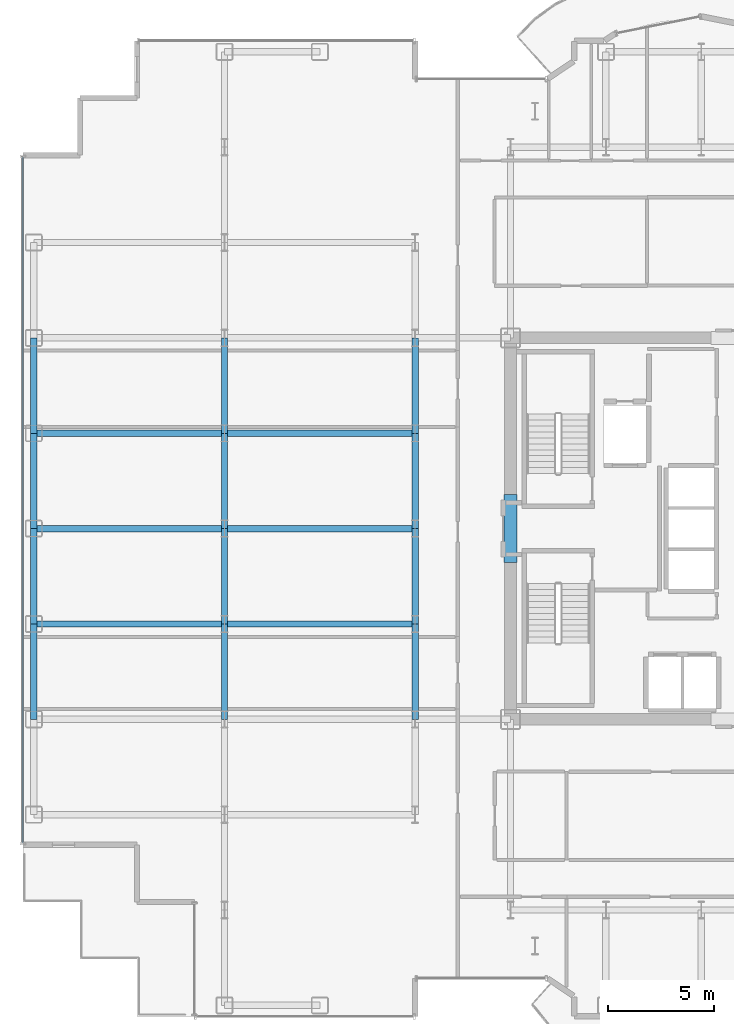
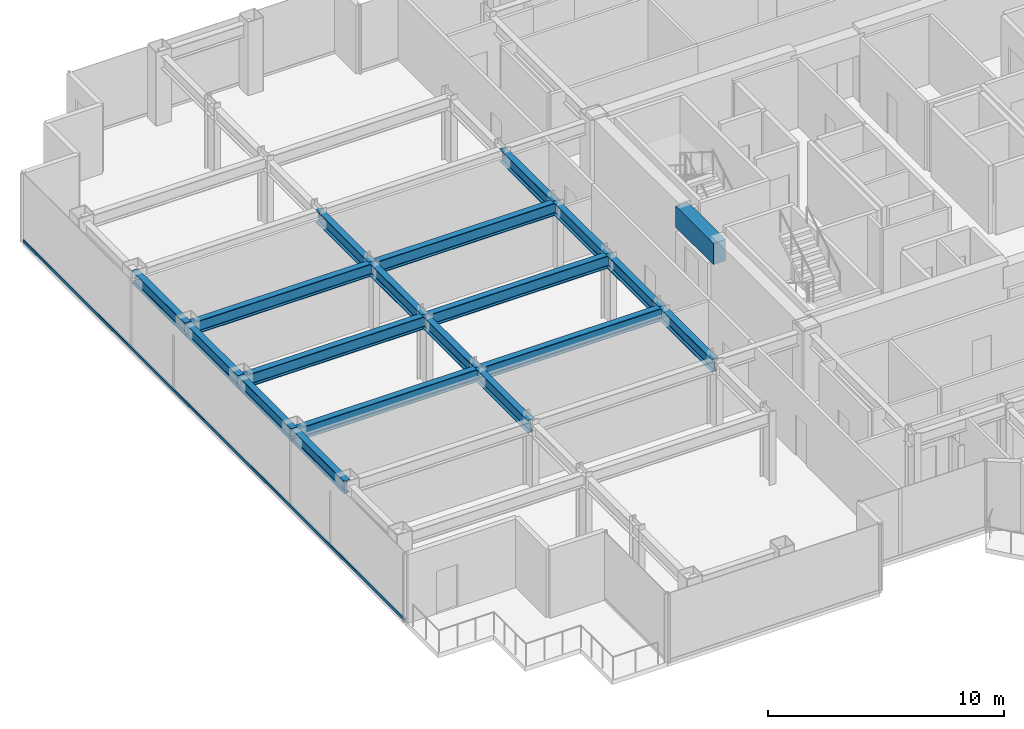
# One storey, part 6 of 23: 19 beams, 1 member, 1 element without a shape of its own.
"""IFC4 building model written with IfcOpenShell, lengths in metres."""

from ifc_helpers import new_model, si_unit, direction, frame, origin, origin_2d, place, context, subcontext, project, spatial, rectangle, hollow_rectangle, i_section, extrude, source, transform, mapped, material, layer, layer_set, material_profile, profile_set, type_object, element, aggregate, save


model = new_model("IFC4")

# Units and contexts
model_context = context("Model", 3, precision=1e-05, world=origin(), true_north=direction((0.0, 1.0)))
body_context = subcontext(model_context, "Body", "Model", "MODEL_VIEW")
ifc_project = project(units=[si_unit("LENGTHUNIT", "METRE"), si_unit("AREAUNIT", "SQUARE_METRE"), si_unit("VOLUMEUNIT", "CUBIC_METRE"), si_unit("PLANEANGLEUNIT", "RADIAN"), si_unit("MASSUNIT", "GRAM", prefix="KILO")], contexts=[model_context])

# Site, building, storey
site_placement = place(None, origin())
site = spatial("IfcSite", under=ifc_project, at=site_placement, CompositionType="ELEMENT")
building_placement = place(site_placement, origin())
building = spatial("IfcBuilding", under=site, at=building_placement, Name="Nefas-Gora Pilgrimage Tower", CompositionType="ELEMENT")
storey_placement = place(building_placement, frame((0.0, 0.0, 164.0)))
storey = spatial("IfcBuildingStorey", under=building, at=storey_placement, Name="L40", CompositionType="ELEMENT", Elevation=164.0)

# Beams
ifc_material_1 = material(Name="Concrete C60/75", Category="concrete")
ifc_material_profile_1 = material_profile(ifc_material_1, rectangle(XDim=0.60009765625, YDim=1.10009765625, at=origin_2d()), Name="RC 600x1100")
ifc_profile_set_1 = profile_set([ifc_material_profile_1], Name="Concrete C60/75")
beam_type_1 = type_object("IfcBeamType", Name="BM-LIN-RC1100", PredefinedType="LINTEL", material=ifc_profile_set_1)
shared_shape_1 = source(origin(), body_context, "Body", "SweptSolid", [
    extrude(rectangle(XDim=0.60009765625, YDim=1.10009765625, at=origin_2d()), origin(), (0.0, 0.0, 1.0), 3.2001953125),
])
beam_placement = place(storey_placement, frame((-11.25, -1.60009765625, 3.0), z_axis=(0.0, 1.0, 0.0), x_axis=(-1.0, 0.0, 0.0)))
element("IfcBeam", 1, at=beam_placement, inside=storey, type_object=beam_type_1, Name="L40 Core Coupling Lintel Beam W", PredefinedType="LINTEL", context=body_context, shape_type="MappedRepresentation", body=[
    mapped(shared_shape_1, transform((0.0, 0.0, 0.0), x_axis=(1.0, 0.0, 0.0), y_axis=(0.0, 1.0, 0.0), z_axis=(0.0, 0.0, 1.0), scale=1.0)),
])
ifc_material_2 = material(Name="Steel S355", Category="steel")
ifc_material_profile_2 = material_profile(ifc_material_2, i_section(OverallWidth=0.300048828125, OverallDepth=0.64990234375, WebThickness=0.01611328125, FlangeThickness=0.031005859375, FilletRadius=0.027099609375, at=origin_2d()), Name="HEB 650")
ifc_profile_set_2 = profile_set([ifc_material_profile_2], Name="Steel S355")
beam_type_2 = type_object("IfcBeamType", Name="BM-SPN-HEB500", PredefinedType="SPANDREL", material=ifc_profile_set_2)
shared_shape_2 = source(origin(), body_context, "Body", "SweptSolid", [
    extrude(i_section(OverallWidth=0.300048828125, OverallDepth=0.64990234375, WebThickness=0.01611328125, FlangeThickness=0.031005859375, FilletRadius=0.027099609375, at=origin_2d()), origin(), (0.0, 0.0, 1.0), 4.5),
])
for number, where, z_axis, x_axis, name in (
    (2, (-33.75, -9.0, 3.22509765625), (0.0, 1.0, 0.0), (-1.0, 0.0, 0.0), "L40 SP-02 beam"),
    (3, (-33.75, -4.5, 3.22509765625), (0.0, 1.0, 0.0), (-1.0, 0.0, 0.0), "L40 SP-02 beam"),
    (4, (-33.75, 0.0, 3.22509765625), (0.0, 1.0, 0.0), (-1.0, 0.0, 0.0), "L40 SP-02 beam"),
    (5, (-33.75, 4.5, 3.22509765625), (0.0, 1.0, 0.0), (-1.0, 0.0, 0.0), "L40 SP-02 beam"),
):
    element("IfcBeam", number, at=place(storey_placement, frame(where, z_axis=z_axis, x_axis=x_axis)), inside=storey, type_object=beam_type_2, Name=name, PredefinedType="SPANDREL", context=body_context, shape_type="MappedRepresentation", body=[
        mapped(shared_shape_2, transform((0.0, 0.0, 0.0), x_axis=(1.0, 0.0, 0.0), y_axis=(0.0, 1.0, 0.0), z_axis=(0.0, 0.0, 1.0), scale=1.0)),
    ])
ifc_material_profile_3 = material_profile(ifc_material_2, i_section(OverallWidth=0.300048828125, OverallDepth=0.64990234375, WebThickness=0.01611328125, FlangeThickness=0.031005859375, FilletRadius=0.027099609375, at=origin_2d()), Name="HEB 650")
ifc_profile_set_3 = profile_set([ifc_material_profile_3], Name="Steel S355")
beam_type_3 = type_object("IfcBeamType", Name="BM-GIR-HEB650", PredefinedType="BEAM", material=ifc_profile_set_3)
shared_shape_3 = source(origin(), body_context, "Body", "SweptSolid", [
    extrude(i_section(OverallWidth=0.300048828125, OverallDepth=0.64990234375, WebThickness=0.01611328125, FlangeThickness=0.031005859375, FilletRadius=0.027099609375, at=origin_2d()), origin(), (0.0, 0.0, 1.0), 9.0),
])
for number, where, z_axis, x_axis, name in (
    (6, (-33.75, -4.5, 3.22509765625), (1.0, 0.0, 0.0), (0.0, 1.0, 0.0), "L40 G-03 beam"),
    (7, (-33.75, 0.0, 3.22509765625), (1.0, 0.0, 0.0), (0.0, 1.0, 0.0), "L40 G-03 beam"),
    (8, (-33.75, 4.5, 3.22509765625), (1.0, 0.0, 0.0), (0.0, 1.0, 0.0), "L40 G-03 beam"),
    (9, (-24.75, -4.5, 3.22509765625), (1.0, 0.0, 0.0), (0.0, 1.0, 0.0), "L40 G-03 beam"),
    (10, (-24.75, 0.0, 3.22509765625), (1.0, 0.0, 0.0), (0.0, 1.0, 0.0), "L40 G-03 beam"),
    (11, (-24.75, 4.5, 3.22509765625), (1.0, 0.0, 0.0), (0.0, 1.0, 0.0), "L40 G-03 beam"),
):
    element("IfcBeam", number, at=place(storey_placement, frame(where, z_axis=z_axis, x_axis=x_axis)), inside=storey, type_object=beam_type_3, Name=name, PredefinedType="BEAM", context=body_context, shape_type="MappedRepresentation", body=[
        mapped(shared_shape_3, transform((0.0, 0.0, 0.0), x_axis=(1.0, 0.0, 0.0), y_axis=(0.0, 1.0, 0.0), z_axis=(0.0, 0.0, 1.0), scale=1.0)),
    ])
shared_shape_4 = source(origin(), body_context, "Body", "SweptSolid", [
    extrude(i_section(OverallWidth=0.300048828125, OverallDepth=0.64990234375, WebThickness=0.01611328125, FlangeThickness=0.031005859375, FilletRadius=0.027099609375, at=origin_2d()), origin(), (0.0, 0.0, 1.0), 4.5),
])
for number, where, z_axis, x_axis, name in (
    (12, (-24.75, -9.0, 3.22509765625), (0.0, 1.0, 0.0), (-1.0, 0.0, 0.0), "L40 G-03 beam"),
    (13, (-24.75, -4.5, 3.22509765625), (0.0, 1.0, 0.0), (-1.0, 0.0, 0.0), "L40 G-03 beam"),
    (14, (-24.75, 0.0, 3.22509765625), (0.0, 1.0, 0.0), (-1.0, 0.0, 0.0), "L40 G-03 beam"),
    (15, (-24.75, 4.5, 3.22509765625), (0.0, 1.0, 0.0), (-1.0, 0.0, 0.0), "L40 G-03 beam"),
    (16, (-15.75, -9.0, 3.22509765625), (0.0, 1.0, 0.0), (-1.0, 0.0, 0.0), "L40 G-03 beam"),
    (17, (-15.75, -4.5, 3.22509765625), (0.0, 1.0, 0.0), (-1.0, 0.0, 0.0), "L40 G-03 beam"),
    (18, (-15.75, 0.0, 3.22509765625), (0.0, 1.0, 0.0), (-1.0, 0.0, 0.0), "L40 G-03 beam"),
    (19, (-15.75, 4.5, 3.22509765625), (0.0, 1.0, 0.0), (-1.0, 0.0, 0.0), "L40 G-03 beam"),
):
    element("IfcBeam", number, at=place(storey_placement, frame(where, z_axis=z_axis, x_axis=x_axis)), inside=storey, type_object=beam_type_3, Name=name, PredefinedType="BEAM", context=body_context, shape_type="MappedRepresentation", body=[
        mapped(shared_shape_4, transform((0.0, 0.0, 0.0), x_axis=(1.0, 0.0, 0.0), y_axis=(0.0, 1.0, 0.0), z_axis=(0.0, 0.0, 1.0), scale=1.0)),
    ])

# Curtain wall, member
ifc_material_3 = material(Name="Dark ceramic-fritted solar-control aluminium-glass curtain wall", Category="aluminium")
ifc_layer = layer(ifc_material_3, 0.219970703125)
ifc_layer_set = layer_set([ifc_layer], Name="Dark ceramic-fritted solar-control aluminium-glass curtain wall")
curtain_wall_type = type_object("IfcCurtainWallType", Name="CW-SYS-3", PredefinedType="NOTDEFINED", material=ifc_layer_set)
curtain_wall_placement = place(storey_placement, origin())
curtain_wall = element("IfcCurtainWall", 20, at=curtain_wall_placement, inside=storey, type_object=curtain_wall_type, Name="L40 Unitised Curtain Wall CW3", PredefinedType="NOTDEFINED")
ifc_material_4 = material(Name="Anodised architectural aluminium", Category="aluminium")
ifc_material_profile_4 = material_profile(ifc_material_4, hollow_rectangle(XDim=0.080078125, YDim=0.159912109375, WallThickness=0.00439453125, InnerFilletRadius=0.00439453125, OuterFilletRadius=0.009033203125, at=origin_2d()), Name="ALU TRANSOM 80x160")
ifc_profile_set_4 = profile_set([ifc_material_profile_4], Name="Anodised architectural aluminium")
member_type = type_object("IfcMemberType", Name="CWM-TRN-3", PredefinedType="USERDEFINED", material=ifc_profile_set_4)
shared_shape_5 = source(origin(), body_context, "Body", "SweptSolid", [
    extrude(hollow_rectangle(XDim=0.080078125, YDim=0.159912109375, WallThickness=0.00439453125, InnerFilletRadius=0.00439453125, OuterFilletRadius=0.009033203125, at=origin_2d()), origin(), (0.0, 0.0, 1.0), 32.360107421875),
])
member_placement = place(storey_placement, frame((-34.27001953125, 17.530029296875, 0.050048828125), z_axis=(0.0, -1.0, 0.0), x_axis=(1.0, 0.0, 0.0)))
member = element("IfcMember", 21, at=member_placement, type_object=member_type, Name="CW3 Spandrel Transom", ObjectType="TRANSOM", PredefinedType="USERDEFINED", context=body_context, shape_type="MappedRepresentation", body=[
    mapped(shared_shape_5, transform((0.0, 0.0, 0.0), x_axis=(1.0, 0.0, 0.0), y_axis=(0.0, 1.0, 0.0), z_axis=(0.0, 0.0, 1.0), scale=1.0)),
])
aggregate(curtain_wall, [member])

save(model, "model.ifc")
